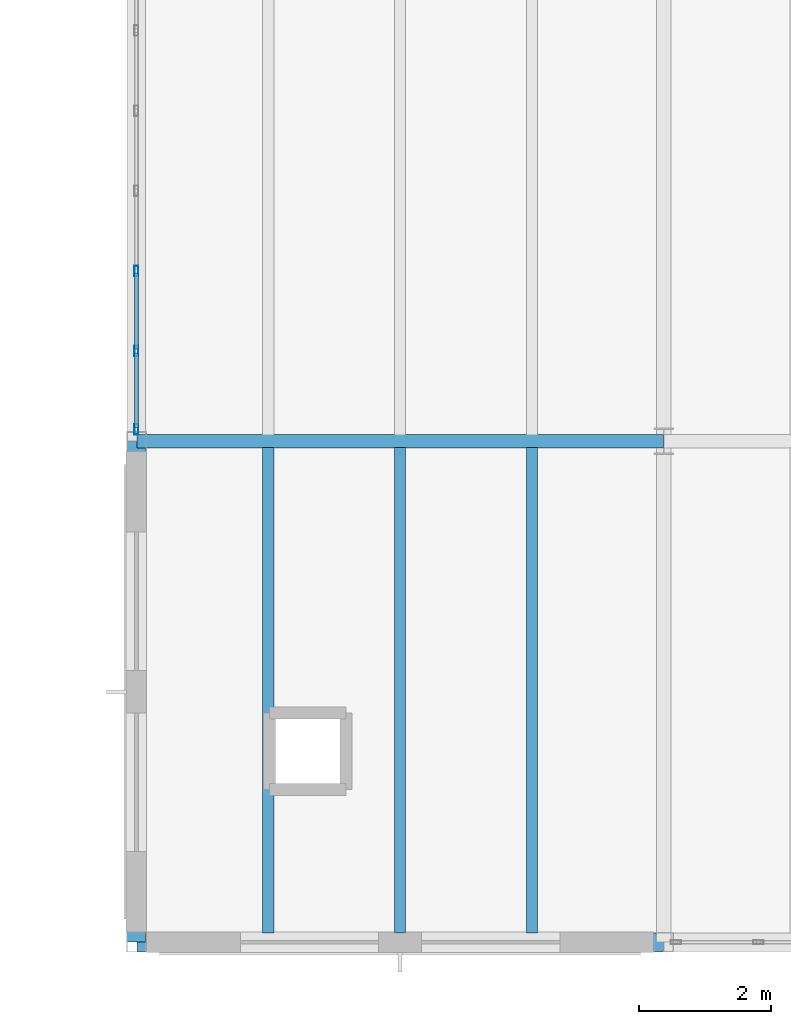
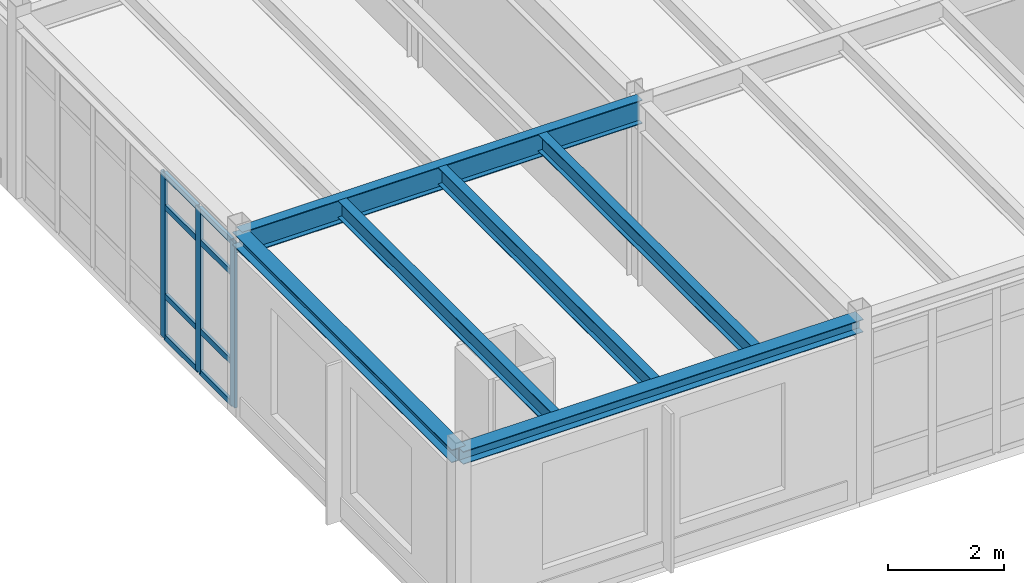
# One storey, part 95 of 165: 11 members, 6 beams, 1 element without a shape of its own.
"""IFC4 building model written with IfcOpenShell, lengths in metres."""

from ifc_helpers import new_model, si_unit, direction, frame, origin, origin_2d, place, context, subcontext, project, spatial, hollow_rectangle, i_section, extrude, material, layer, layer_set, material_profile, profile_set, type_object, element, aggregate, save


model = new_model("IFC4")

# Units and contexts
model_context = context("Model", 3, precision=1e-05, world=origin(), true_north=direction((0.0, 1.0)))
body_context = subcontext(model_context, "Body", "Model", "MODEL_VIEW")
ifc_project = project(units=[si_unit("LENGTHUNIT", "METRE"), si_unit("AREAUNIT", "SQUARE_METRE"), si_unit("VOLUMEUNIT", "CUBIC_METRE"), si_unit("PLANEANGLEUNIT", "RADIAN"), si_unit("MASSUNIT", "GRAM", prefix="KILO")], contexts=[model_context])

# Site, building, storey
site_placement = place(None, origin())
site = spatial("IfcSite", under=ifc_project, at=site_placement, CompositionType="ELEMENT")
building_placement = place(site_placement, origin())
building = spatial("IfcBuilding", under=site, at=building_placement, Name="Montecoro Central Library", CompositionType="ELEMENT")
storey_placement = place(building_placement, frame((0.0, 0.0, 5.10009765625)))
storey = spatial("IfcBuildingStorey", under=building, at=storey_placement, Name="L01", CompositionType="ELEMENT", Elevation=5.10009765625)

# Beams
ifc_material_1 = material(Name="Steel S355", Category="steel")
ifc_material_profile_1 = material_profile(ifc_material_1, i_section(OverallWidth=0.199951171875, OverallDepth=0.5, WebThickness=0.01025390625, FlangeThickness=0.01611328125, at=origin_2d()), Name="IPE 500")
ifc_profile_set_1 = profile_set([ifc_material_profile_1], Name="Steel S355")
beam_type_1 = type_object("IfcBeamType", Name="BM-G-IPE500", PredefinedType="USERDEFINED", material=ifc_profile_set_1)
beam_1_placement = place(storey_placement, frame((141.0048828125, 12.60009765625, 3.574951171875), z_axis=(1.0, 0.0, 0.0), x_axis=(0.0, 1.0, 0.0)))
element("IfcBeam", 1, at=beam_1_placement, inside=storey, type_object=beam_type_1, Name="V6-L01-BX-1819-B", ObjectType="GIRDER", PredefinedType="USERDEFINED", context=body_context, shape_type="SweptSolid", body=[
    extrude(i_section(OverallWidth=0.199951171875, OverallDepth=0.5, WebThickness=0.01025390625, FlangeThickness=0.01611328125, at=origin_2d()), origin(), (0.0, 0.0, 1.0), 7.990234375),
])
ifc_material_profile_2 = material_profile(ifc_material_1, i_section(OverallWidth=0.169921875, OverallDepth=0.360107421875, WebThickness=0.008056640625, FlangeThickness=0.0126953125, at=origin_2d()), Name="IPE 360")
ifc_profile_set_2 = profile_set([ifc_material_profile_2], Name="Steel S355")
beam_type_2 = type_object("IfcBeamType", Name="BM-J-IPE360", PredefinedType="JOIST", material=ifc_profile_set_2)
for number, where, z_axis, x_axis, name in (
    (2, (143.0, 5.136962890625, 3.64501953125), (0.0, 1.0, 0.0), (-1.0, 0.0, 0.0), "V6-L01-JS-1819-AB-1"),
    (3, (145.0, 5.136962890625, 3.64501953125), (0.0, 1.0, 0.0), (-1.0, 0.0, 0.0), "V6-L01-JS-1819-AB-2"),
    (4, (147.0, 5.136962890625, 3.64501953125), (0.0, 1.0, 0.0), (-1.0, 0.0, 0.0), "V6-L01-JS-1819-AB-3"),
):
    element("IfcBeam", number, at=place(storey_placement, frame(where, z_axis=z_axis, x_axis=x_axis)), inside=storey, type_object=beam_type_2, Name=name, PredefinedType="JOIST", context=body_context, shape_type="SweptSolid", body=[
        extrude(i_section(OverallWidth=0.169921875, OverallDepth=0.360107421875, WebThickness=0.008056640625, FlangeThickness=0.0126953125, at=origin_2d()), origin(), (0.0, 0.0, 1.0), 7.365966796875),
    ])
ifc_material_profile_3 = material_profile(ifc_material_1, i_section(OverallWidth=0.280029296875, OverallDepth=0.27001953125, WebThickness=0.008056640625, FlangeThickness=0.012939453125, at=origin_2d()), Name="HEA 280")
ifc_profile_set_3 = profile_set([ifc_material_profile_3], Name="Steel S355")
beam_type_3 = type_object("IfcBeamType", Name="BM-SP-HEA280", PredefinedType="SPANDREL", material=ifc_profile_set_3)
beam_2_placement = place(storey_placement, frame((141.0048828125, 5.0, 3.68994140625), z_axis=(1.0, 0.0, 0.0), x_axis=(0.0, 1.0, 0.0)))
element("IfcBeam", 5, at=beam_2_placement, inside=storey, type_object=beam_type_3, Name="V6-L01-BX-1819-A", PredefinedType="SPANDREL", context=body_context, shape_type="SweptSolid", body=[
    extrude(i_section(OverallWidth=0.280029296875, OverallDepth=0.27001953125, WebThickness=0.008056640625, FlangeThickness=0.012939453125, at=origin_2d()), origin(), (0.0, 0.0, 1.0), 7.990234375),
])
beam_3_placement = place(storey_placement, frame((141.0, 5.0048828125, 3.68994140625), z_axis=(0.0, 1.0, 0.0), x_axis=(-1.0, 0.0, 0.0)))
element("IfcBeam", 6, at=beam_3_placement, inside=storey, type_object=beam_type_3, Name="V6-L01-BY-18-AB", PredefinedType="SPANDREL", context=body_context, shape_type="SweptSolid", body=[
    extrude(i_section(OverallWidth=0.280029296875, OverallDepth=0.27001953125, WebThickness=0.008056640625, FlangeThickness=0.012939453125, at=origin_2d()), origin(), (0.0, 0.0, 1.0), 7.590087890625),
])

# Curtain wall, members
ifc_material_2 = material(Name="Bronze-anodised aluminium and low-E glazing", Category="aluminium")
ifc_layer = layer(ifc_material_2, 0.159912109375)
ifc_layer_set = layer_set([ifc_layer], Name="Bronze-anodised aluminium and low-E glazing")
curtain_wall_type = type_object("IfcCurtainWallType", Name="CWT-063", PredefinedType="NOTDEFINED", material=ifc_layer_set)
curtain_wall_placement = place(storey_placement, origin())
curtain_wall = element("IfcCurtainWall", 7, at=curtain_wall_placement, inside=storey, type_object=curtain_wall_type, Name="V6-L01-CW-W1", PredefinedType="NOTDEFINED")
ifc_material_3 = material(Name="Bronze-anodised aluminium", Category="aluminium")
ifc_material_profile_4 = material_profile(ifc_material_3, hollow_rectangle(XDim=0.06005859375, YDim=0.159912109375, WallThickness=0.00390625, at=origin_2d()), Name="CWM 160x60x4.0")
ifc_profile_set_4 = profile_set([ifc_material_profile_4], Name="Bronze-anodised aluminium")
member_type_1 = type_object("IfcMemberType", Name="CWM-BRZ-60", PredefinedType="MULLION", material=ifc_profile_set_4)
member_1_placement = place(storey_placement, frame((141.0, 15.184326171875, 0.0), z_axis=(0.0, 0.0, 1.0), x_axis=(1.0, 0.0, 0.0)))
member_1 = element("IfcMember", 8, at=member_1_placement, type_object=member_type_1, Name="CW-063 mullion 5", PredefinedType="MULLION", context=body_context, shape_type="SweptSolid", body=[
    extrude(hollow_rectangle(XDim=0.06005859375, YDim=0.159912109375, WallThickness=0.00390625, at=origin_2d()), origin(), (0.0, 0.0, 1.0), 3.47998046875),
])
member_2_placement = place(storey_placement, frame((141.0, 13.96875, 0.0), z_axis=(0.0, 0.0, 1.0), x_axis=(1.0, 0.0, 0.0)))
member_2 = element("IfcMember", 9, at=member_2_placement, type_object=member_type_1, Name="CW-063 mullion 6", PredefinedType="MULLION", context=body_context, shape_type="SweptSolid", body=[
    extrude(hollow_rectangle(XDim=0.06005859375, YDim=0.159912109375, WallThickness=0.00390625, at=origin_2d()), origin(), (0.0, 0.0, 1.0), 3.47998046875),
])
member_3_placement = place(storey_placement, frame((141.0, 12.782958984375, 0.0), z_axis=(0.0, 0.0, 1.0), x_axis=(1.0, 0.0, 0.0)))
member_3 = element("IfcMember", 10, at=member_3_placement, type_object=member_type_1, Name="CW-063 mullion 7", PredefinedType="MULLION", context=body_context, shape_type="SweptSolid", body=[
    extrude(hollow_rectangle(XDim=0.06005859375, YDim=0.159912109375, WallThickness=0.00390625, at=origin_2d()), origin(), (0.0, 0.0, 1.0), 3.47998046875),
])
ifc_material_profile_5 = material_profile(ifc_material_3, hollow_rectangle(XDim=0.06005859375, YDim=0.1201171875, WallThickness=0.00390625, at=origin_2d()), Name="CWT 120x60x4.0")
ifc_profile_set_5 = profile_set([ifc_material_profile_5], Name="Bronze-anodised aluminium")
member_type_2 = type_object("IfcMemberType", Name="CWT-BRZ-60", PredefinedType="USERDEFINED", material=ifc_profile_set_5)
member_4_placement = place(storey_placement, frame((141.0, 15.154296875, 0.02978515625), z_axis=(0.0, -1.0, 0.0), x_axis=(1.0, 0.0, 0.0)))
member_4 = element("IfcMember", 11, at=member_4_placement, type_object=member_type_2, Name="CW-063 transom 5.1", ObjectType="TRANSOM", PredefinedType="USERDEFINED", context=body_context, shape_type="SweptSolid", body=[
    extrude(hollow_rectangle(XDim=0.06005859375, YDim=0.1201171875, WallThickness=0.00390625, at=origin_2d()), origin(), (0.0, 0.0, 1.0), 1.155517578125),
])
member_5_placement = place(storey_placement, frame((141.0, 15.154296875, 0.89990234375), z_axis=(0.0, -1.0, 0.0), x_axis=(1.0, 0.0, 0.0)))
member_5 = element("IfcMember", 12, at=member_5_placement, type_object=member_type_2, Name="CW-063 transom 5.2", ObjectType="TRANSOM", PredefinedType="USERDEFINED", context=body_context, shape_type="SweptSolid", body=[
    extrude(hollow_rectangle(XDim=0.06005859375, YDim=0.1201171875, WallThickness=0.00390625, at=origin_2d()), origin(), (0.0, 0.0, 1.0), 1.155517578125),
])
member_6_placement = place(storey_placement, frame((141.0, 15.154296875, 2.77978515625), z_axis=(0.0, -1.0, 0.0), x_axis=(1.0, 0.0, 0.0)))
member_6 = element("IfcMember", 13, at=member_6_placement, type_object=member_type_2, Name="CW-063 transom 5.3", ObjectType="TRANSOM", PredefinedType="USERDEFINED", context=body_context, shape_type="SweptSolid", body=[
    extrude(hollow_rectangle(XDim=0.06005859375, YDim=0.1201171875, WallThickness=0.00390625, at=origin_2d()), origin(), (0.0, 0.0, 1.0), 1.155517578125),
])
member_7_placement = place(storey_placement, frame((141.0, 15.154296875, 3.449951171875), z_axis=(0.0, -1.0, 0.0), x_axis=(1.0, 0.0, 0.0)))
member_7 = element("IfcMember", 14, at=member_7_placement, type_object=member_type_2, Name="CW-063 transom 5.4", ObjectType="TRANSOM", PredefinedType="USERDEFINED", context=body_context, shape_type="SweptSolid", body=[
    extrude(hollow_rectangle(XDim=0.06005859375, YDim=0.1201171875, WallThickness=0.00390625, at=origin_2d()), origin(), (0.0, 0.0, 1.0), 1.155517578125),
])
member_8_placement = place(storey_placement, frame((141.0, 13.938720703125, 0.02978515625), z_axis=(0.0, -1.0, 0.0), x_axis=(1.0, 0.0, 0.0)))
member_8 = element("IfcMember", 15, at=member_8_placement, type_object=member_type_2, Name="CW-063 transom 6.1", ObjectType="TRANSOM", PredefinedType="USERDEFINED", context=body_context, shape_type="SweptSolid", body=[
    extrude(hollow_rectangle(XDim=0.06005859375, YDim=0.1201171875, WallThickness=0.00390625, at=origin_2d()), origin(), (0.0, 0.0, 1.0), 1.125732421875),
])
member_9_placement = place(storey_placement, frame((141.0, 13.938720703125, 0.89990234375), z_axis=(0.0, -1.0, 0.0), x_axis=(1.0, 0.0, 0.0)))
member_9 = element("IfcMember", 16, at=member_9_placement, type_object=member_type_2, Name="CW-063 transom 6.2", ObjectType="TRANSOM", PredefinedType="USERDEFINED", context=body_context, shape_type="SweptSolid", body=[
    extrude(hollow_rectangle(XDim=0.06005859375, YDim=0.1201171875, WallThickness=0.00390625, at=origin_2d()), origin(), (0.0, 0.0, 1.0), 1.125732421875),
])
member_10_placement = place(storey_placement, frame((141.0, 13.938720703125, 2.77978515625), z_axis=(0.0, -1.0, 0.0), x_axis=(1.0, 0.0, 0.0)))
member_10 = element("IfcMember", 17, at=member_10_placement, type_object=member_type_2, Name="CW-063 transom 6.3", ObjectType="TRANSOM", PredefinedType="USERDEFINED", context=body_context, shape_type="SweptSolid", body=[
    extrude(hollow_rectangle(XDim=0.06005859375, YDim=0.1201171875, WallThickness=0.00390625, at=origin_2d()), origin(), (0.0, 0.0, 1.0), 1.125732421875),
])
member_11_placement = place(storey_placement, frame((141.0, 13.938720703125, 3.449951171875), z_axis=(0.0, -1.0, 0.0), x_axis=(1.0, 0.0, 0.0)))
member_11 = element("IfcMember", 18, at=member_11_placement, type_object=member_type_2, Name="CW-063 transom 6.4", ObjectType="TRANSOM", PredefinedType="USERDEFINED", context=body_context, shape_type="SweptSolid", body=[
    extrude(hollow_rectangle(XDim=0.06005859375, YDim=0.1201171875, WallThickness=0.00390625, at=origin_2d()), origin(), (0.0, 0.0, 1.0), 1.125732421875),
])
aggregate(curtain_wall, [member_1, member_2, member_3, member_4, member_5, member_6, member_7, member_8, member_9, member_10, member_11])

save(model, "model.ifc")
